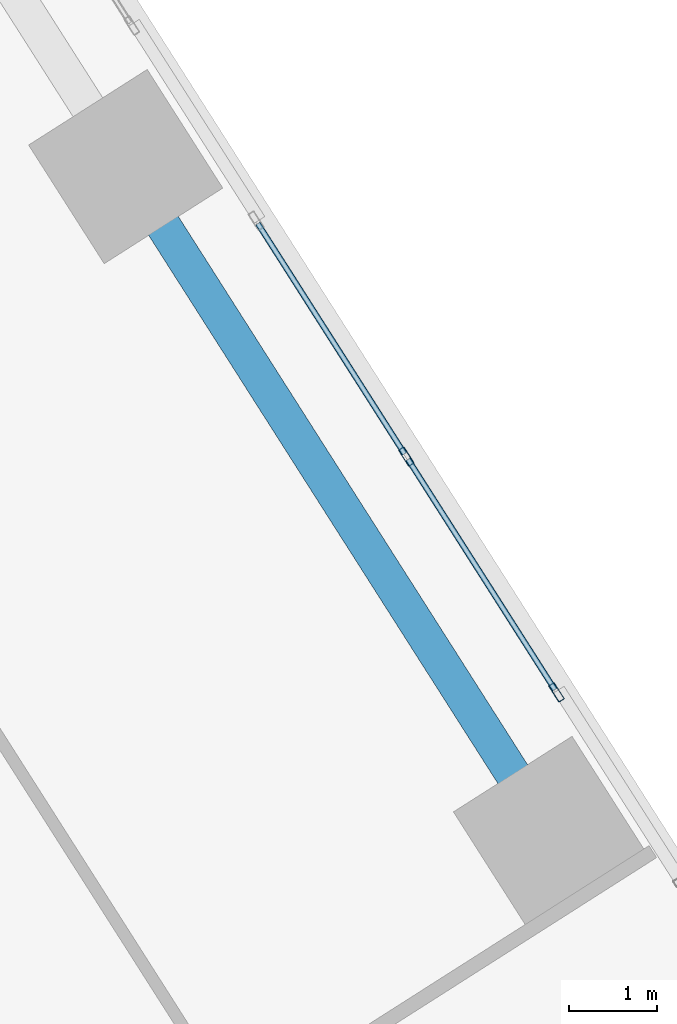
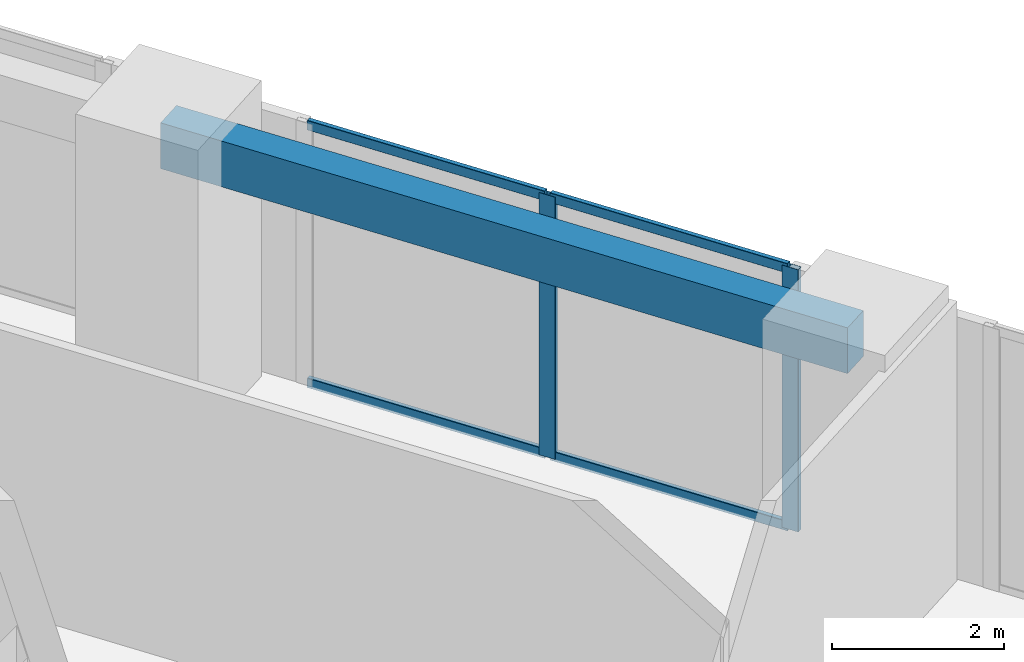
# One storey, part 7 of 15: 6 members, 1 beam, 1 element without a shape of its own.
"""IFC4 building model written with IfcOpenShell, lengths in metres."""

from ifc_helpers import new_model, si_unit, direction, frame, origin, origin_2d, place, context, subcontext, project, spatial, rectangle, hollow_rectangle, extrude, source, transform, mapped, material, material_profile, profile_set, type_object, element, aggregate, save


model = new_model("IFC4")

# Units and contexts
model_context = context("Model", 3, precision=1e-05, world=origin(), true_north=direction((0.0, 1.0)))
body_context = subcontext(model_context, "Body", "Model", "MODEL_VIEW")
ifc_project = project(units=[si_unit("LENGTHUNIT", "METRE"), si_unit("AREAUNIT", "SQUARE_METRE"), si_unit("VOLUMEUNIT", "CUBIC_METRE"), si_unit("PLANEANGLEUNIT", "RADIAN"), si_unit("MASSUNIT", "GRAM", prefix="KILO")], contexts=[model_context])

# Site, building, storey
site_placement = place(None, origin())
site = spatial("IfcSite", under=ifc_project, at=site_placement, CompositionType="ELEMENT")
building_placement = place(site_placement, origin())
building = spatial("IfcBuilding", under=site, at=building_placement, Name="Torre Montelarca", CompositionType="ELEMENT")
storey_placement = place(building_placement, frame((0.0, 0.0, 307.199951171875)))
storey = spatial("IfcBuildingStorey", under=building, at=storey_placement, Name="L69", CompositionType="ELEMENT", Elevation=307.199951171875)

# Beam
ifc_material_1 = material(Name="Concrete C40/50", Category="concrete")
ifc_material_profile_1 = material_profile(ifc_material_1, rectangle(XDim=0.39990234375, YDim=0.64990234375, at=origin_2d()), Name="RCB400X650", Category="concrete")
ifc_profile_set_1 = profile_set([ifc_material_profile_1], Name="Concrete C40/50")
beam_type = type_object("IfcBeamType", Name="BM-SP-RC650-EXT", PredefinedType="SPANDREL", material=ifc_profile_set_1)
shared_shape_1 = source(origin(), body_context, "Body", "SweptSolid", [
    extrude(rectangle(XDim=0.39990234375, YDim=0.64990234375, at=origin_2d()), origin(), (0.0, 0.0, 1.0), 9.0),
])
beam_placement = place(storey_placement, frame((32.396728515625, 43.092041015625, 3.635009765625), z_axis=(0.5372966855, -0.843393307865, 0.0), x_axis=(0.843393307865, 0.5372966855, 0.0)))
element("IfcBeam", 1, at=beam_placement, inside=storey, type_object=beam_type, Name="L69 Grid Girder X 18.0-27.0 at Y=47.1", PredefinedType="SPANDREL", context=body_context, shape_type="MappedRepresentation", body=[
    mapped(shared_shape_1, transform((0.0, 0.0, 0.0), scale=1.0)),
])

# Curtain wall, members
ifc_material_2 = material(Name="Insulated low-E laminated glass", Category="glass")
curtain_wall_type = type_object("IfcCurtainWallType", Name="CW-SYS-Z4", PredefinedType="USERDEFINED", material=ifc_material_2)
curtain_wall_placement = place(storey_placement, origin())
curtain_wall = element("IfcCurtainWall", 2, at=curtain_wall_placement, inside=storey, type_object=curtain_wall_type, Name="L69 Curtain Wall Run CW-T3-L69-E08-B2", ObjectType="UNITISED GLAZING", PredefinedType="USERDEFINED")
ifc_material_3 = material(Name="Anodised aluminium AA 6063-T6", Category="aluminium")
ifc_material_profile_2 = material_profile(ifc_material_3, hollow_rectangle(XDim=0.074951171875, YDim=0.219970703125, WallThickness=0.0048828125, InnerFilletRadius=0.0048828125, OuterFilletRadius=0.010009765625, at=origin_2d()), Name="ALU75X220X5", Category="aluminium")
ifc_profile_set_2 = profile_set([ifc_material_profile_2], Name="Anodised aluminium AA 6063-T6")
member_type_1 = type_object("IfcMemberType", Name="CWM-ALU220", PredefinedType="MULLION", material=ifc_profile_set_2)
shared_shape_2 = source(origin(), body_context, "Body", "SweptSolid", [
    extrude(hollow_rectangle(XDim=0.074951171875, YDim=0.219970703125, WallThickness=0.0048828125, InnerFilletRadius=0.0048828125, OuterFilletRadius=0.010009765625, at=origin_2d()), origin(), (0.0, 0.0, 1.0), 3.719970703125),
])
member_1_placement = place(storey_placement, frame((37.300537109375, 37.10693359375, 0.0), z_axis=(0.0, 0.0, 1.0), x_axis=(-0.843394761508, -0.537294403713, 0.0)))
member_1 = element("IfcMember", 3, at=member_1_placement, type_object=member_type_1, Name="CW mullion 1", PredefinedType="MULLION", context=body_context, shape_type="MappedRepresentation", body=[
    mapped(shared_shape_2, transform((0.0, 0.0, 0.0), scale=1.0)),
])
member_2_placement = place(storey_placement, frame((35.590576171875, 39.791015625, 0.0), z_axis=(0.0, 0.0, 1.0), x_axis=(-0.843394761508, -0.537294403713, 0.0)))
member_2 = element("IfcMember", 4, at=member_2_placement, type_object=member_type_1, Name="CW mullion 2", PredefinedType="MULLION", context=body_context, shape_type="MappedRepresentation", body=[
    mapped(shared_shape_2, transform((0.0, 0.0, 0.0), scale=1.0)),
])
ifc_material_profile_3 = material_profile(ifc_material_3, hollow_rectangle(XDim=0.06494140625, YDim=0.139892578125, WallThickness=0.00390625, InnerFilletRadius=0.00390625, OuterFilletRadius=0.008056640625, at=origin_2d()), Name="ALU65X140X4", Category="aluminium")
ifc_profile_set_3 = profile_set([ifc_material_profile_3], Name="Anodised aluminium AA 6063-T6")
member_type_2 = type_object("IfcMemberType", Name="CWT-ALU140", PredefinedType="USERDEFINED", material=ifc_profile_set_3)
shared_shape_3 = source(origin(), body_context, "Body", "SweptSolid", [
    extrude(hollow_rectangle(XDim=0.06494140625, YDim=0.139892578125, WallThickness=0.00390625, InnerFilletRadius=0.00390625, OuterFilletRadius=0.008056640625, at=origin_2d()), origin(), (0.0, 0.0, 1.0), 3.107421875),
])
member_3_placement = place(storey_placement, frame((37.280517578125, 37.138671875, 0.032470703125), z_axis=(-0.537302444451, 0.843389639009, 0.0), x_axis=(-0.843389639009, -0.537302444451, 0.0)))
member_3 = element("IfcMember", 5, at=member_3_placement, type_object=member_type_2, Name="CW transom 1.1", ObjectType="TRANSOM", PredefinedType="USERDEFINED", context=body_context, shape_type="MappedRepresentation", body=[
    mapped(shared_shape_3, transform((0.0, 0.0, 0.0), scale=1.0)),
])
member_4_placement = place(storey_placement, frame((37.280517578125, 37.138671875, 3.6875), z_axis=(-0.537302444451, 0.843389639009, 0.0), x_axis=(-0.843389639009, -0.537302444451, 0.0)))
member_4 = element("IfcMember", 6, at=member_4_placement, type_object=member_type_2, Name="CW transom 1.2", ObjectType="TRANSOM", PredefinedType="USERDEFINED", context=body_context, shape_type="MappedRepresentation", body=[
    mapped(shared_shape_3, transform((0.0, 0.0, 0.0), scale=1.0)),
])
member_5_placement = place(storey_placement, frame((35.570556640625, 39.82275390625, 0.032470703125), z_axis=(-0.537302444451, 0.843389639009, 0.0), x_axis=(-0.843389639009, -0.537302444451, 0.0)))
member_5 = element("IfcMember", 7, at=member_5_placement, type_object=member_type_2, Name="CW transom 2.1", ObjectType="TRANSOM", PredefinedType="USERDEFINED", context=body_context, shape_type="MappedRepresentation", body=[
    mapped(shared_shape_3, transform((0.0, 0.0, 0.0), scale=1.0)),
])
member_6_placement = place(storey_placement, frame((35.570556640625, 39.82275390625, 3.6875), z_axis=(-0.537302444451, 0.843389639009, 0.0), x_axis=(-0.843389639009, -0.537302444451, 0.0)))
member_6 = element("IfcMember", 8, at=member_6_placement, type_object=member_type_2, Name="CW transom 2.2", ObjectType="TRANSOM", PredefinedType="USERDEFINED", context=body_context, shape_type="MappedRepresentation", body=[
    mapped(shared_shape_3, transform((0.0, 0.0, 0.0), scale=1.0)),
])
aggregate(curtain_wall, [member_1, member_2, member_3, member_4, member_5, member_6])

save(model, "model.ifc")
